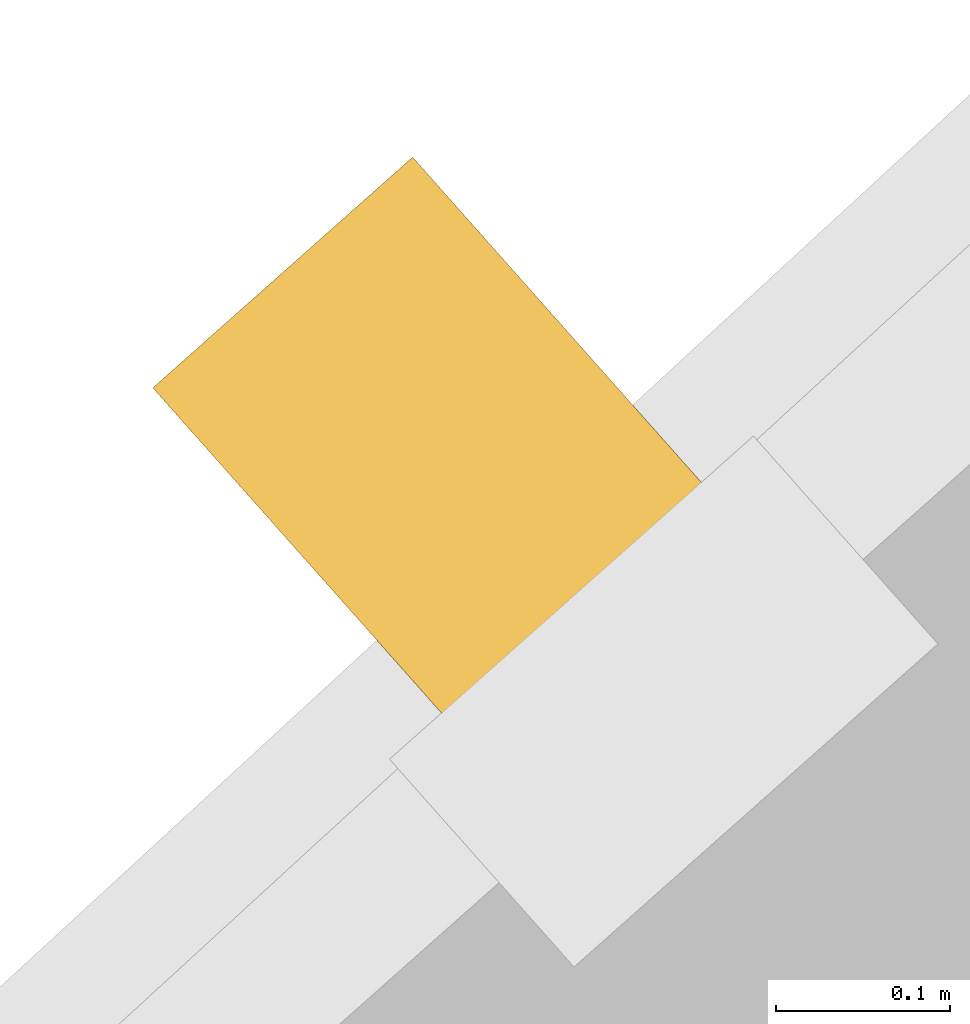
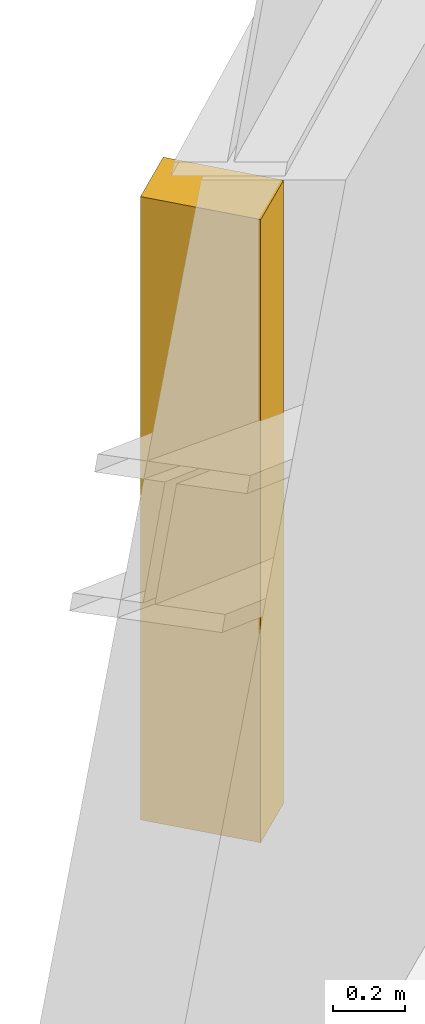
# One storey, part 18 of 19: 1 shading device.
"""IFC4 building model written with IfcOpenShell, lengths in metres."""

import ifcopenshell
import ifcopenshell.guid

model = None  # the IFC model being written
_history = None  # IfcOwnerHistory: only IFC2X3 demands one
_inside = {}  # id of a spatial element -> (the spatial element, [elements in it])
_under = {}  # id of a project, library or spatial element -> (it, [spatial elements below it])
_declared = {}  # id of a project -> (the project, [libraries it declares])
_typed = {}  # id of a type object -> (the type object, [elements of that type])
_made_of = {}  # id of a material, layer set ... -> (it, [elements and type objects made of it])


def new_model(schema):
    """Start an empty IFC model of exactly this schema.

    Asked for "IFC4X3", IfcOpenShell would pick the latest addendum, in which some entities
    have other attributes; the version numbers below select the first issue.
    IFC2X3 requires an IfcOwnerHistory on every rooted entity: one is made here for all.
    """
    global model, _history
    if schema == "IFC4X3":
        model = ifcopenshell.file(schema_version=(4, 3, 0, 0))
    else:
        model = ifcopenshell.file(schema=schema)
    _inside.clear()
    _under.clear()
    _declared.clear()
    _typed.clear()
    _made_of.clear()
    _history = None
    if model.schema == "IFC2X3":
        org = make("IfcOrganization", Name="unknown")
        user = make(
            "IfcPersonAndOrganization",
            ThePerson=make("IfcPerson", FamilyName="unknown"),
            TheOrganization=org,
        )
        app = make(
            "IfcApplication",
            ApplicationDeveloper=org,
            Version="unknown",
            ApplicationFullName="unknown",
            ApplicationIdentifier="unknown",
        )
        _history = make(
            "IfcOwnerHistory",
            OwningUser=user,
            OwningApplication=app,
            ChangeAction="ADDED",
            CreationDate=0,
        )
    return model


def make(cls, **values):
    """One entity of the class cls with the attributes given. An attribute that is None is left unset."""
    return model.create_entity(
        cls, **{name: value for name, value in values.items() if value is not None}
    )


def rooted(cls, **values):
    """An entity with a GlobalId (a new one), such as an element, a storey or a relation."""
    return make(cls, GlobalId=ifcopenshell.guid.new(), OwnerHistory=_history, **values)


def si_unit(unit_type, name, prefix=None):
    """IfcSIUnit, for example si_unit("LENGTHUNIT", "METRE", prefix="MILLI")."""
    return make("IfcSIUnit", UnitType=unit_type, Prefix=prefix, Name=name)


def assignment(units):
    """IfcUnitAssignment: the units of a project."""
    return None if units is None else make("IfcUnitAssignment", Units=units)


def point(xyz):
    """IfcCartesianPoint."""
    return None if xyz is None else make("IfcCartesianPoint", Coordinates=xyz)


def direction(xyz):
    """IfcDirection."""
    return None if xyz is None else make("IfcDirection", DirectionRatios=xyz)


def frame(location, z_axis=None, x_axis=None):
    """IfcAxis2Placement3D, a coordinate frame: its origin and axes. An axis left out is left unset."""
    return make(
        "IfcAxis2Placement3D",
        Location=point(location),
        Axis=direction(z_axis),
        RefDirection=direction(x_axis),
    )


def frame_2d(location, x_axis=None):
    """IfcAxis2Placement2D, a coordinate frame in the plane: its origin and x axis."""
    return make(
        "IfcAxis2Placement2D", Location=point(location), RefDirection=direction(x_axis)
    )


def origin():
    """The frame at (0, 0, 0) with its axes left unset."""
    return frame((0.0, 0.0, 0.0))


def origin_2d():
    """The frame at (0, 0) in the plane with its x axis left unset."""
    return frame_2d((0.0, 0.0))


def place(relative_to, where):
    """IfcLocalPlacement: puts the frame where relative to a parent placement (None: the world)."""
    return make(
        "IfcLocalPlacement", PlacementRelTo=relative_to, RelativePlacement=where
    )


def context(
    kind, dimensions, precision=None, world=None, true_north=None, identifier=None
):
    """IfcGeometricRepresentationContext, for example the 3D "Model" context."""
    return make(
        "IfcGeometricRepresentationContext",
        ContextIdentifier=identifier,
        ContextType=kind,
        CoordinateSpaceDimension=dimensions,
        Precision=precision,
        WorldCoordinateSystem=world,
        TrueNorth=true_north,
    )


def subcontext(parent, identifier, kind, view, scale=None):
    """IfcGeometricRepresentationSubContext, for example "Body" below "Model"."""
    return make(
        "IfcGeometricRepresentationSubContext",
        ContextIdentifier=identifier,
        ContextType=kind,
        ParentContext=parent,
        TargetScale=scale,
        TargetView=view,
    )


def project(units=None, contexts=None):
    """IfcProject with its units and contexts."""
    return rooted(
        "IfcProject",
        Name="project",
        RepresentationContexts=contexts,
        UnitsInContext=assignment(units),
    )


def spatial(cls, under=None, at=None, **own):
    """A site, building, storey or space (cls), placed at a placement, below another one or the project."""
    s = rooted(cls, ObjectPlacement=at, **own)
    if under is not None:
        _under.setdefault(under.id(), (under, []))[1].append(s)
    return s


def profile(cls, at=None, kind="AREA", **sizes):
    """A parametric profile (cls). Its sizes go by their IFC names, for example OverallWidth=200.0."""
    return make(cls, ProfileType=kind, Position=at, **sizes)


def rectangle(**sizes):
    """IfcRectangleProfileDef."""
    return profile("IfcRectangleProfileDef", **sizes)


def extrude(swept, where, along, depth):
    """IfcExtrudedAreaSolid: the profile swept, set in the frame where, extruded along a direction by depth."""
    return make(
        "IfcExtrudedAreaSolid",
        SweptArea=swept,
        Position=where,
        ExtrudedDirection=direction(along),
        Depth=depth,
    )


def shape(context_of_items, identifier, shape_type, items):
    """IfcShapeRepresentation: the items that make up one representation, for example the "Body"."""
    return make(
        "IfcShapeRepresentation",
        ContextOfItems=context_of_items,
        RepresentationIdentifier=identifier,
        RepresentationType=shape_type,
        Items=items,
    )


def source(mapping_origin, context_of_items, identifier, shape_type, items):
    """IfcRepresentationMap: a shape defined once, which mapped items show again and again."""
    return make(
        "IfcRepresentationMap",
        MappingOrigin=mapping_origin,
        MappedRepresentation=shape(context_of_items, identifier, shape_type, items),
    )


def transform(
    local_origin,
    x_axis=None,
    y_axis=None,
    z_axis=None,
    scale=None,
    scale2=None,
    scale3=None,
    uniform=True,
):
    """IfcCartesianTransformationOperator3D, or its non-uniform kind. x_axis, y_axis, z_axis: its Axis1, 2, 3."""
    if uniform:
        return make(
            "IfcCartesianTransformationOperator3D",
            Axis1=direction(x_axis),
            Axis2=direction(y_axis),
            LocalOrigin=point(local_origin),
            Scale=scale,
            Axis3=direction(z_axis),
        )
    return make(
        "IfcCartesianTransformationOperator3DnonUniform",
        Axis1=direction(x_axis),
        Axis2=direction(y_axis),
        LocalOrigin=point(local_origin),
        Scale=scale,
        Axis3=direction(z_axis),
        Scale2=scale2,
        Scale3=scale3,
    )


def mapped(mapping_source, mapping_target):
    """IfcMappedItem: shows the shape of a source again, moved by a transform."""
    return make(
        "IfcMappedItem", MappingSource=mapping_source, MappingTarget=mapping_target
    )


def material(Name=None, Category=None):
    """IfcMaterial."""
    return make("IfcMaterial", Name=Name, Category=Category)


def made_of(thing, what):
    """Note that an element or type object is made of a material, layer set ...; save() writes the relation."""
    if what is not None:
        _made_of.setdefault(what.id(), (what, []))[1].append(thing)
    return thing


def type_object(cls, material=None, **own):
    """A type object (cls), such as IfcWallType, which elements share."""
    return made_of(rooted(cls, **own), material)


def element(
    cls,
    number,
    at=None,
    inside=None,
    cuts=None,
    type_object=None,
    material=None,
    context=None,
    identifier="Body",
    shape_type=None,
    held_by="IfcProductDefinitionShape",
    body=None,
    shapes=None,
    **own,
):
    """One element of the class cls, such as IfcWall. Its Tag is "e" and its number.

    at: its placement. inside: the storey or other place that contains it. cuts: it is an
    opening in that element (IfcRelVoidsElement). A single representation is given by context,
    identifier, shape_type and body (its items); several are given by shapes. held_by: the class
    of the entity that holds the representations. save() writes the other relations.
    """
    e = rooted(cls, Tag="e%d" % number, ObjectPlacement=at, **own)
    if body is not None:
        shapes = [shape(context, identifier, shape_type, body)]
    if shapes is not None:
        e.Representation = make(held_by, Representations=shapes)
    if inside is not None:
        _inside.setdefault(inside.id(), (inside, []))[1].append(e)
    if cuts is not None:
        rooted(
            "IfcRelVoidsElement", RelatingBuildingElement=cuts, RelatedOpeningElement=e
        )
    if type_object is not None:
        _typed.setdefault(type_object.id(), (type_object, []))[1].append(e)
    return made_of(e, material)


def aggregate(whole, parts):
    """IfcRelAggregates: a whole, such as a stair, and the parts it consists of."""
    return rooted("IfcRelAggregates", RelatingObject=whole, RelatedObjects=parts)


def save(model, path):
    """Write the relations noted so far, then the file.

    IfcRelAggregates (storeys below a building ...), IfcRelContainedInSpatialStructure (elements
    in a storey), IfcRelDefinesByType, IfcRelAssociatesMaterial and IfcRelDeclares: one each for
    every whole, place, type object, material and project.
    """
    for whole, parts in _under.values():
        aggregate(whole, parts)
    for where, things in _inside.values():
        rooted(
            "IfcRelContainedInSpatialStructure",
            RelatedElements=things,
            RelatingStructure=where,
        )
    for kind, things in _typed.values():
        rooted("IfcRelDefinesByType", RelatedObjects=things, RelatingType=kind)
    for what, things in _made_of.values():
        rooted("IfcRelAssociatesMaterial", RelatedObjects=things, RelatingMaterial=what)
    for by, libraries in _declared.values():
        rooted("IfcRelDeclares", RelatingContext=by, RelatedDefinitions=libraries)
    model.write(path)


model = new_model("IFC4")

# Units and contexts
model_context = context("Model", 3, precision=1e-05, world=origin(), true_north=direction((0.0, 1.0)))
body_context = subcontext(model_context, "Body", "Model", "MODEL_VIEW")
ifc_project = project(units=[si_unit("LENGTHUNIT", "METRE"), si_unit("AREAUNIT", "SQUARE_METRE"), si_unit("VOLUMEUNIT", "CUBIC_METRE"), si_unit("PLANEANGLEUNIT", "RADIAN"), si_unit("MASSUNIT", "GRAM", prefix="KILO")], contexts=[model_context])

# Site, building, storey
site_placement = place(None, origin())
site = spatial("IfcSite", under=ifc_project, at=site_placement, CompositionType="ELEMENT")
building_placement = place(site_placement, origin())
building = spatial("IfcBuilding", under=site, at=building_placement, Name="Olszyna Solenne Hotel", CompositionType="ELEMENT")
storey_placement = place(building_placement, frame((0.0, 0.0, 71.89990234375)))
storey = spatial("IfcBuildingStorey", under=building, at=storey_placement, Name="L18", CompositionType="ELEMENT", Elevation=71.89990234375)

# Shading device
ifc_material = material(Name="Terracotta cladding", Category="masonry")
shading_device_type = type_object("IfcShadingDeviceType", Name="SH-FN1", PredefinedType="USERDEFINED", material=ifc_material)
shared_shape = source(origin(), body_context, "Body", "SweptSolid", [
    extrude(rectangle(XDim=0.199951171875, YDim=0.35009765625, at=origin_2d()), origin(), (0.0, 0.0, 1.0), 2.10009765625),
])
shading_device_placement = place(storey_placement, frame((20.2578125, 43.575927734375, 0.470947265625), z_axis=(0.0, 0.0, 1.0), x_axis=(0.747798090499, 0.663926212652, 0.0)))
element("IfcShadingDevice", 1, at=shading_device_placement, inside=storey, type_object=shading_device_type, Name="Chamfer wind-corner terracotta fin FN-L18-05", ObjectType="FIN", PredefinedType="USERDEFINED", context=body_context, shape_type="MappedRepresentation", body=[
    mapped(shared_shape, transform((0.0, 0.0, 0.0), x_axis=(1.0, 0.0, 0.0), y_axis=(0.0, 1.0, 0.0), z_axis=(0.0, 0.0, 1.0), scale=1.0)),
])

save(model, "model.ifc")
